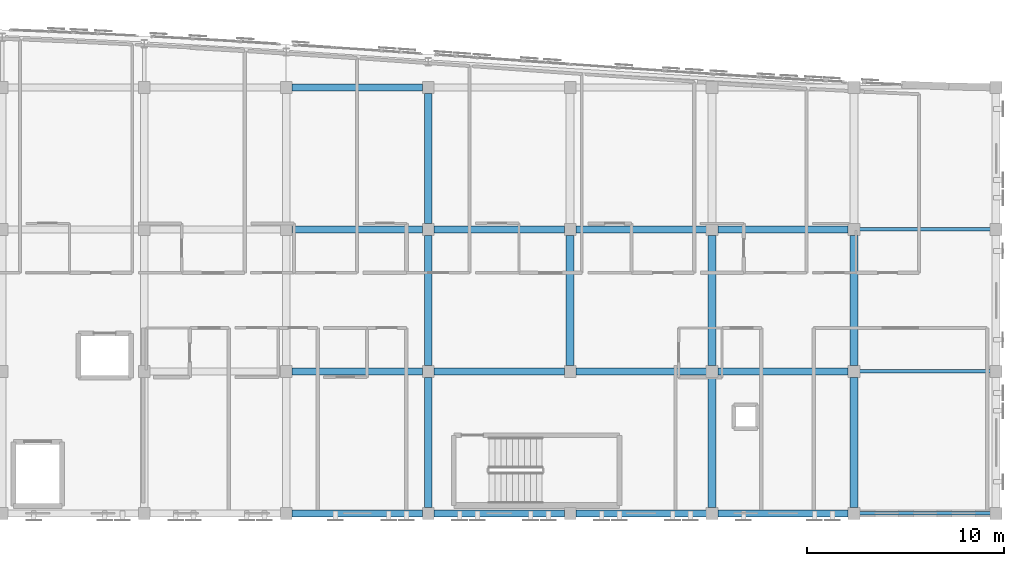
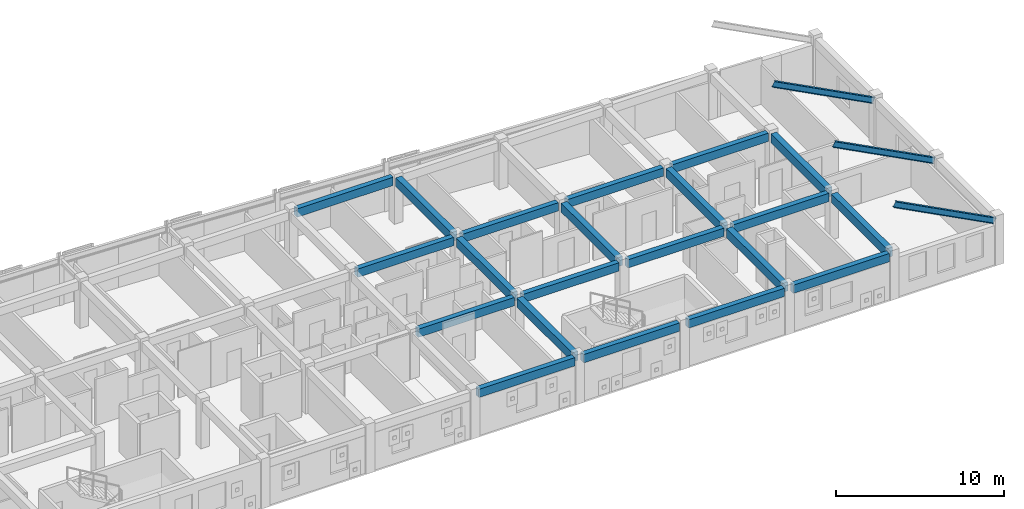
# One storey, part 23 of 51: 24 beams.
"""IFC4 building model written with IfcOpenShell, lengths in metres."""

from ifc_helpers import new_model, si_unit, direction, frame, origin, origin_2d, place, context, subcontext, project, spatial, rectangle, i_section, extrude, material, material_profile, profile_set, type_object, element, save


model = new_model("IFC4")

# Units and contexts
model_context = context("Model", 3, precision=1e-05, world=origin(), true_north=direction((0.0, 1.0)))
body_context = subcontext(model_context, "Body", "Model", "MODEL_VIEW")
ifc_project = project(units=[si_unit("LENGTHUNIT", "METRE"), si_unit("AREAUNIT", "SQUARE_METRE"), si_unit("VOLUMEUNIT", "CUBIC_METRE"), si_unit("PLANEANGLEUNIT", "RADIAN"), si_unit("MASSUNIT", "GRAM", prefix="KILO")], contexts=[model_context])

# Site, building, storey
site_placement = place(None, origin())
site = spatial("IfcSite", under=ifc_project, at=site_placement, CompositionType="ELEMENT")
building_placement = place(site_placement, origin())
building = spatial("IfcBuilding", under=site, at=building_placement, Name="Carrowvane Square Congress Hotel", CompositionType="ELEMENT")
storey_placement = place(building_placement, frame((0.0, 0.0, 30.0)))
storey = spatial("IfcBuildingStorey", under=building, at=storey_placement, Name="L07", CompositionType="ELEMENT", Elevation=30.0)

# Beams
ifc_material_1 = material(Name="Concrete C35/45", Category="concrete")
ifc_material_profile_1 = material_profile(ifc_material_1, rectangle(XDim=0.35009765625, YDim=0.60009765625, at=origin_2d()), Name="RC 350x600")
ifc_profile_set_1 = profile_set([ifc_material_profile_1], Name="Concrete C35/45")
beam_type_1 = type_object("IfcBeamType", Name="BM-RC-350x600", PredefinedType="BEAM", material=ifc_profile_set_1)
for number, where, z_axis, x_axis, name in (
    (1, (127.10009765625, 91.800048828125, 3.06005859375), (1.0, 0.0, 0.0), (0.0, 1.0, 0.0), "L08 girder N/17-18"),
    (2, (134.300048828125, 91.800048828125, 3.06005859375), (1.0, 0.0, 0.0), (0.0, 1.0, 0.0), "L08 girder N/18-19"),
):
    element("IfcBeam", number, at=place(storey_placement, frame(where, z_axis=z_axis, x_axis=x_axis)), inside=storey, type_object=beam_type_1, Name=name, PredefinedType="BEAM", context=body_context, shape_type="SweptSolid", body=[
        extrude(rectangle(XDim=0.35009765625, YDim=0.60009765625, at=origin_2d()), origin(), (0.0, 0.0, 1.0), 6.599853515625),
    ])
for number, where, z_axis, x_axis, name in (
    (3, (141.5, 91.800048828125, 3.06005859375), (1.0, 0.0, 0.0), (0.0, 1.0, 0.0), "L08 girder N/19-20"),
    (4, (148.699951171875, 91.800048828125, 3.06005859375), (1.0, 0.0, 0.0), (0.0, 1.0, 0.0), "L08 girder N/20-21"),
):
    element("IfcBeam", number, at=place(storey_placement, frame(where, z_axis=z_axis, x_axis=x_axis)), inside=storey, type_object=beam_type_1, Name=name, PredefinedType="BEAM", context=body_context, shape_type="SweptSolid", body=[
        extrude(rectangle(XDim=0.35009765625, YDim=0.60009765625, at=origin_2d()), origin(), (0.0, 0.0, 1.0), 6.60009765625),
    ])
for number, where, z_axis, x_axis, name in (
    (5, (127.10009765625, 99.0, 3.06005859375), (1.0, 0.0, 0.0), (0.0, 1.0, 0.0), "L08 girder P/17-18"),
    (6, (134.300048828125, 99.0, 3.06005859375), (1.0, 0.0, 0.0), (0.0, 1.0, 0.0), "L08 girder P/18-19"),
):
    element("IfcBeam", number, at=place(storey_placement, frame(where, z_axis=z_axis, x_axis=x_axis)), inside=storey, type_object=beam_type_1, Name=name, PredefinedType="BEAM", context=body_context, shape_type="SweptSolid", body=[
        extrude(rectangle(XDim=0.35009765625, YDim=0.60009765625, at=origin_2d()), origin(), (0.0, 0.0, 1.0), 6.599853515625),
    ])
for number, where, z_axis, x_axis, name in (
    (7, (141.5, 99.0, 3.06005859375), (1.0, 0.0, 0.0), (0.0, 1.0, 0.0), "L08 girder P/19-20"),
    (8, (148.699951171875, 99.0, 3.06005859375), (1.0, 0.0, 0.0), (0.0, 1.0, 0.0), "L08 girder P/20-21"),
):
    element("IfcBeam", number, at=place(storey_placement, frame(where, z_axis=z_axis, x_axis=x_axis)), inside=storey, type_object=beam_type_1, Name=name, PredefinedType="BEAM", context=body_context, shape_type="SweptSolid", body=[
        extrude(rectangle(XDim=0.35009765625, YDim=0.60009765625, at=origin_2d()), origin(), (0.0, 0.0, 1.0), 6.60009765625),
    ])
for number, where, z_axis, x_axis, name in (
    (9, (127.10009765625, 106.199951171875, 3.06005859375), (1.0, 0.0, 0.0), (0.0, 1.0, 0.0), "L08 girder Q/17-18"),
    (10, (134.300048828125, 106.199951171875, 3.06005859375), (1.0, 0.0, 0.0), (0.0, 1.0, 0.0), "L08 girder Q/18-19"),
):
    element("IfcBeam", number, at=place(storey_placement, frame(where, z_axis=z_axis, x_axis=x_axis)), inside=storey, type_object=beam_type_1, Name=name, PredefinedType="BEAM", context=body_context, shape_type="SweptSolid", body=[
        extrude(rectangle(XDim=0.35009765625, YDim=0.60009765625, at=origin_2d()), origin(), (0.0, 0.0, 1.0), 6.599853515625),
    ])
for number, where, z_axis, x_axis, name in (
    (11, (141.5, 106.199951171875, 3.06005859375), (1.0, 0.0, 0.0), (0.0, 1.0, 0.0), "L08 girder Q/19-20"),
    (12, (148.699951171875, 106.199951171875, 3.06005859375), (1.0, 0.0, 0.0), (0.0, 1.0, 0.0), "L08 girder Q/20-21"),
):
    element("IfcBeam", number, at=place(storey_placement, frame(where, z_axis=z_axis, x_axis=x_axis)), inside=storey, type_object=beam_type_1, Name=name, PredefinedType="BEAM", context=body_context, shape_type="SweptSolid", body=[
        extrude(rectangle(XDim=0.35009765625, YDim=0.60009765625, at=origin_2d()), origin(), (0.0, 0.0, 1.0), 6.60009765625),
    ])
beam_1_placement = place(storey_placement, frame((127.10009765625, 113.39990234375, 3.06005859375), z_axis=(1.0, 0.0, 0.0), x_axis=(0.0, 1.0, 0.0)))
element("IfcBeam", 13, at=beam_1_placement, inside=storey, type_object=beam_type_1, Name="L08 girder R/17-18", PredefinedType="BEAM", context=body_context, shape_type="SweptSolid", body=[
    extrude(rectangle(XDim=0.35009765625, YDim=0.60009765625, at=origin_2d()), origin(), (0.0, 0.0, 1.0), 6.599853515625),
])
ifc_material_2 = material(Name="Concrete C35/45", Category="concrete")
ifc_material_profile_2 = material_profile(ifc_material_2, rectangle(XDim=0.39990234375, YDim=0.64990234375, at=origin_2d()), Name="RC 400x650")
ifc_profile_set_2 = profile_set([ifc_material_profile_2], Name="Concrete C35/45")
beam_type_2 = type_object("IfcBeamType", Name="BM-RC-400x650", PredefinedType="BEAM", material=ifc_profile_set_2)
for number, where, z_axis, x_axis, name in (
    (14, (134.0, 92.10009765625, 3.034912109375), (0.0, 1.0, 0.0), (-1.0, 0.0, 0.0), "L08 girder 18/N-P"),
    (15, (134.0, 99.300048828125, 3.034912109375), (0.0, 1.0, 0.0), (-1.0, 0.0, 0.0), "L08 girder 18/P-Q"),
):
    element("IfcBeam", number, at=place(storey_placement, frame(where, z_axis=z_axis, x_axis=x_axis)), inside=storey, type_object=beam_type_2, Name=name, PredefinedType="BEAM", context=body_context, shape_type="SweptSolid", body=[
        extrude(rectangle(XDim=0.39990234375, YDim=0.64990234375, at=origin_2d()), origin(), (0.0, 0.0, 1.0), 6.599853515625),
    ])
beam_2_placement = place(storey_placement, frame((134.0, 106.5, 3.034912109375), z_axis=(0.0, 1.0, 0.0), x_axis=(-1.0, 0.0, 0.0)))
element("IfcBeam", 16, at=beam_2_placement, inside=storey, type_object=beam_type_2, Name="L08 girder 18/Q-R", PredefinedType="BEAM", context=body_context, shape_type="SweptSolid", body=[
    extrude(rectangle(XDim=0.39990234375, YDim=0.64990234375, at=origin_2d()), origin(), (0.0, 0.0, 1.0), 6.60009765625),
])
for number, where, z_axis, x_axis, name in (
    (17, (141.199951171875, 99.300048828125, 3.034912109375), (0.0, 1.0, 0.0), (-1.0, 0.0, 0.0), "L08 girder 19/P-Q"),
    (18, (148.39990234375, 92.10009765625, 3.034912109375), (0.0, 1.0, 0.0), (-1.0, 0.0, 0.0), "L08 girder 20/N-P"),
    (19, (148.39990234375, 99.300048828125, 3.034912109375), (0.0, 1.0, 0.0), (-1.0, 0.0, 0.0), "L08 girder 20/P-Q"),
    (20, (155.60009765625, 92.10009765625, 3.034912109375), (0.0, 1.0, 0.0), (-1.0, 0.0, 0.0), "L08 girder 21/N-P"),
    (21, (155.60009765625, 99.300048828125, 3.034912109375), (0.0, 1.0, 0.0), (-1.0, 0.0, 0.0), "L08 girder 21/P-Q"),
):
    element("IfcBeam", number, at=place(storey_placement, frame(where, z_axis=z_axis, x_axis=x_axis)), inside=storey, type_object=beam_type_2, Name=name, PredefinedType="BEAM", context=body_context, shape_type="SweptSolid", body=[
        extrude(rectangle(XDim=0.39990234375, YDim=0.64990234375, at=origin_2d()), origin(), (0.0, 0.0, 1.0), 6.599853515625),
    ])
ifc_material_3 = material(Name="Steel S355", Category="steel")
ifc_material_profile_3 = material_profile(ifc_material_3, i_section(OverallWidth=0.1787109375, OverallDepth=0.409423828125, WebThickness=0.0087890625, FlangeThickness=0.014404296875, FilletRadius=0.01025390625, at=origin_2d()), Name="UKB 406x178x67")
ifc_profile_set_3 = profile_set([ifc_material_profile_3], Name="Steel S355")
beam_type_3 = type_object("IfcBeamType", Name="BM-ST-UKB406", PredefinedType="BEAM", material=ifc_profile_set_3)
for number, where, z_axis, x_axis, name in (
    (22, (155.75, 91.800048828125, 6.679931640625), (0.886589880291, 0.0, -0.462556357826), (0.0, 1.0, 0.0), "L07 shallow-arc roof rafter 33"),
    (23, (155.75, 99.0, 6.679931640625), (0.886589880291, 0.0, -0.462556357826), (0.0, 1.0, 0.0), "L07 shallow-arc roof rafter 34"),
    (24, (155.75, 106.199951171875, 6.679931640625), (0.886589880291, 0.0, -0.462556357826), (0.0, 1.0, 0.0), "L07 shallow-arc roof rafter 35"),
):
    element("IfcBeam", number, at=place(storey_placement, frame(where, z_axis=z_axis, x_axis=x_axis)), inside=storey, type_object=beam_type_3, Name=name, PredefinedType="BEAM", context=body_context, shape_type="SweptSolid", body=[
        extrude(i_section(OverallWidth=0.1787109375, OverallDepth=0.409423828125, WebThickness=0.0087890625, FlangeThickness=0.014404296875, FilletRadius=0.01025390625, at=origin_2d()), origin(), (0.0, 0.0, 1.0), 7.782470703125),
    ])

save(model, "model.ifc")
